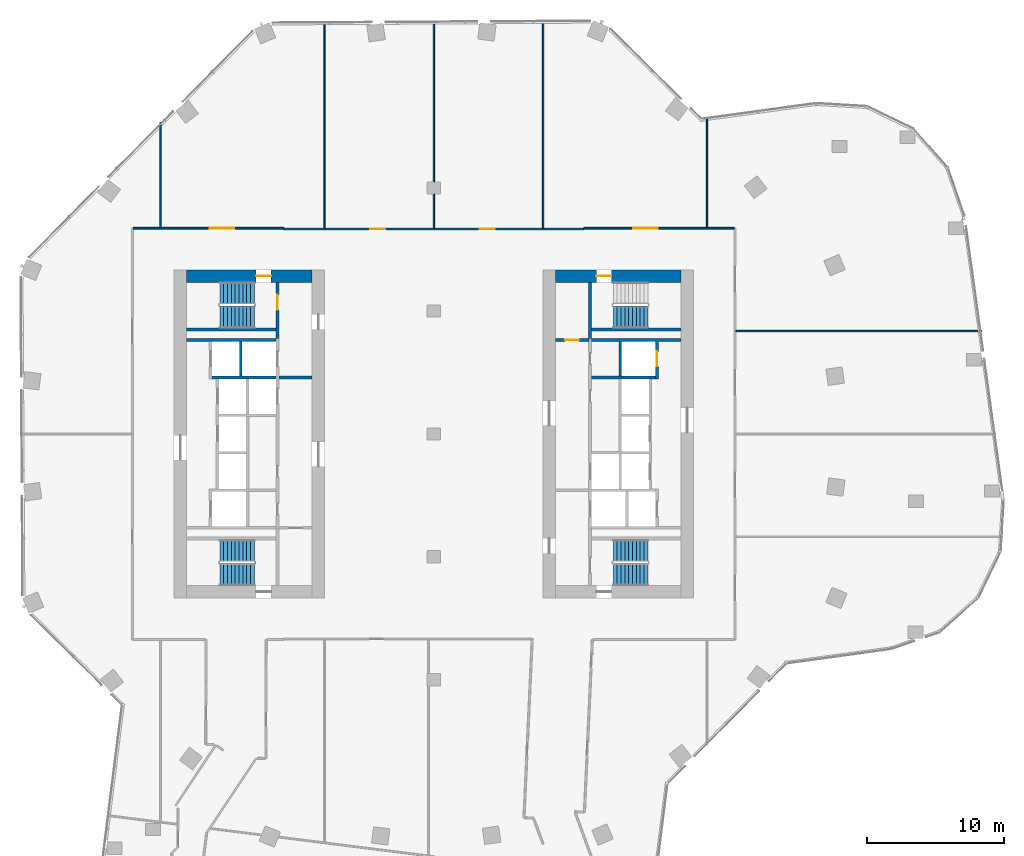
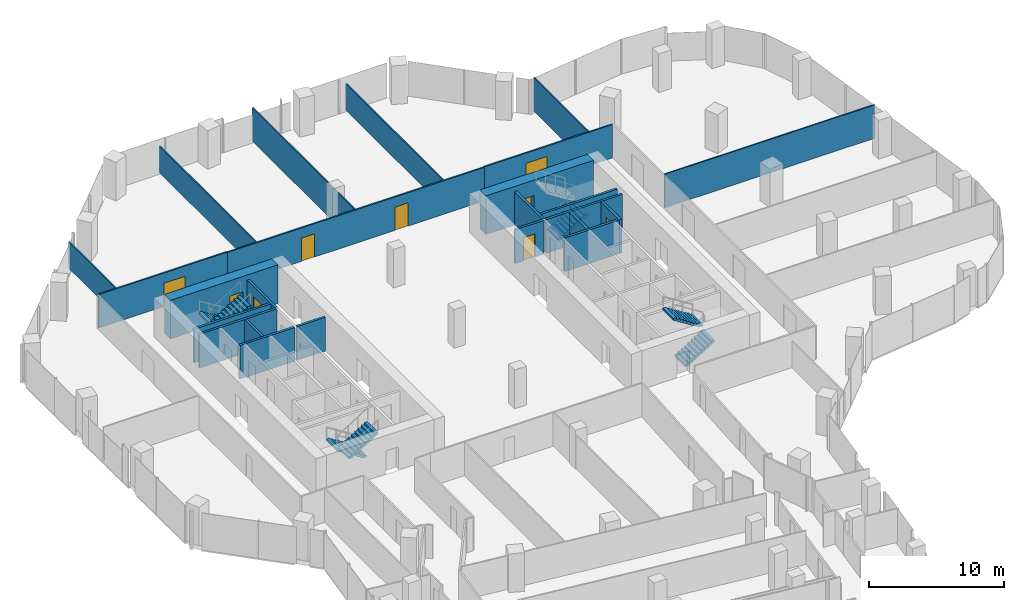
# One storey, part 22 of 27: 24 walls, 9 doors, 7 stair flights, 9 openings, 4 elements without a shape of their own.
"""IFC4 building model written with IfcOpenShell, lengths in metres."""

from ifc_helpers import new_model, si_unit, direction, frame, frame_2d, origin, place, context, subcontext, project, spatial, polyline, rectangle, outline, extrude, material, layer, layer_set, type_object, element, fill, aggregate, save


model = new_model("IFC4")

# Units and contexts
model_context = context("Model", 3, precision=1e-05, world=origin(), true_north=direction((0.0, 1.0)))
body_context = subcontext(model_context, "Body", "Model", "MODEL_VIEW")
ifc_project = project(units=[si_unit("LENGTHUNIT", "METRE"), si_unit("AREAUNIT", "SQUARE_METRE"), si_unit("VOLUMEUNIT", "CUBIC_METRE"), si_unit("PLANEANGLEUNIT", "RADIAN"), si_unit("MASSUNIT", "GRAM", prefix="KILO")], contexts=[model_context])

# Site, building, storey
site_placement = place(None, origin())
site = spatial("IfcSite", under=ifc_project, at=site_placement, CompositionType="ELEMENT")
building_placement = place(site_placement, origin())
building = spatial("IfcBuilding", under=site, at=building_placement, Name="Orlundy Tower", CompositionType="ELEMENT")
storey_placement = place(building_placement, frame((0.0, 0.0, 202.60009765625)))
storey = spatial("IfcBuildingStorey", under=building, at=storey_placement, Name="L53", CompositionType="ELEMENT", Elevation=202.60009765625)

# Wall, opening, door
ifc_material_1 = material(Name="Concrete C70/85", Category="concrete")
ifc_layer_1 = layer(ifc_material_1, 0.89990234375)
ifc_layer_set_1 = layer_set([ifc_layer_1], Name="CORE WALL 900 C70/85")
wall_type_1 = type_object("IfcWallType", Name="CORE WALL 900 C70/85", PredefinedType="SHEAR", material=ifc_layer_set_1)
wall_1_placement = place(storey_placement, frame((-18.10009765625, 11.550048828125, 0.0), z_axis=(0.0, 0.0, 1.0), x_axis=(1.0, 0.0, 0.0)))
wall_1 = element("IfcWall", 1, at=wall_1_placement, inside=storey, type_object=wall_type_1, Name="Core wall W-N L53", PredefinedType="SHEAR", context=body_context, shape_type="SweptSolid", body=[
    extrude(rectangle(XDim=9.2001953125, YDim=0.89990234375, at=frame_2d((4.60009765625, 0.0))), origin(), (0.0, 0.0, 1.0), 3.5),
])
opening_1_placement = place(wall_1_placement, frame((5.10009765625, 0.0, 0.0)))
opening_1 = element("IfcOpeningElement", 2, at=opening_1_placement, cuts=wall_1, Name="Opening 40012", PredefinedType="OPENING", context=body_context, shape_type="SweptSolid", body=[
    extrude(rectangle(XDim=1.10009765625, YDim=2.10009765625, at=frame_2d((0.550048828125, 1.050048828125))), frame((0.0, 0.4599609375, 0.0), z_axis=(0.0, -1.0, 0.0), x_axis=(1.0, 0.0, 0.0)), (0.0, 0.0, 1.0), 0.919921875),
])
ifc_material_2 = material(Name="Steel door set", Category="steel")
door_type_1 = type_object("IfcDoorType", Name="Stair Door 1100x2100", OperationType="SINGLE_SWING_LEFT", PredefinedType="DOOR", material=ifc_material_2)
door_1_placement = place(opening_1_placement, origin())
door_1 = element("IfcDoor", 3, at=door_1_placement, inside=storey, type_object=door_type_1, Name="Stair door 40012", OperationType="SINGLE_SWING_RIGHT", OverallHeight=2.10009765625, OverallWidth=1.10009765625, PredefinedType="DOOR", context=body_context, shape_type="SweptSolid", body=[
    extrude(rectangle(XDim=1.10009765625, YDim=2.10009765625, at=frame_2d((0.550048828125, 1.050048828125))), frame((0.0, 0.02490234375, 0.0), z_axis=(0.0, -1.0, 0.0), x_axis=(1.0, 0.0, 0.0)), (0.0, 0.0, 1.0), 0.050048828125),
])
fill(opening_1, door_1)

wall_2_placement = place(storey_placement, frame((8.89990234375, 11.550048828125, 0.0), z_axis=(0.0, 0.0, 1.0), x_axis=(1.0, 0.0, 0.0)))
wall_2 = element("IfcWall", 4, at=wall_2_placement, inside=storey, type_object=wall_type_1, Name="Core wall E-N L53", PredefinedType="SHEAR", context=body_context, shape_type="SweptSolid", body=[
    extrude(rectangle(XDim=9.2001953125, YDim=0.89990234375, at=frame_2d((4.60009765625, 0.0))), origin(), (0.0, 0.0, 1.0), 3.5),
])
opening_2_placement = place(wall_2_placement, frame((3.0, 0.0, 0.0)))
opening_2 = element("IfcOpeningElement", 5, at=opening_2_placement, cuts=wall_2, Name="Opening 40062", PredefinedType="OPENING", context=body_context, shape_type="SweptSolid", body=[
    extrude(rectangle(XDim=1.10009765625, YDim=2.10009765625, at=frame_2d((0.550048828125, 1.050048828125))), frame((0.0, 0.4599609375, 0.0), z_axis=(0.0, -1.0, 0.0), x_axis=(1.0, 0.0, 0.0)), (0.0, 0.0, 1.0), 0.919921875),
])
door_2_placement = place(opening_2_placement, origin())
door_2 = element("IfcDoor", 6, at=door_2_placement, inside=storey, type_object=door_type_1, Name="Stair door 40062", OperationType="SINGLE_SWING_LEFT", OverallHeight=2.10009765625, OverallWidth=1.10009765625, PredefinedType="DOOR", context=body_context, shape_type="SweptSolid", body=[
    extrude(rectangle(XDim=1.10009765625, YDim=2.10009765625, at=frame_2d((0.550048828125, 1.050048828125))), frame((0.0, 0.02490234375, 0.0), z_axis=(0.0, -1.0, 0.0), x_axis=(1.0, 0.0, 0.0)), (0.0, 0.0, 1.0), 0.050048828125),
])
fill(opening_2, door_2)

# Walls
ifc_material_3 = material(Name="Gypsum board partition")
ifc_layer_2 = layer(ifc_material_3, 0.10009765625)
ifc_layer_set_2 = layer_set([ifc_layer_2], Name="Floor partition 100")
wall_type_2 = type_object("IfcWallType", Name="Floor partition 100", PredefinedType="PARTITIONING", material=ifc_layer_set_2)
wall_3_placement = place(storey_placement, frame((22.113037109375, 7.52392578125, 0.0), z_axis=(0.0, 0.0, 1.0), x_axis=(1.0, 0.0, 0.0)))
element("IfcWall", 7, at=wall_3_placement, inside=storey, type_object=wall_type_2, Name="wall-int-L53-037", PredefinedType="PARTITIONING", context=body_context, shape_type="SweptSolid", body=[
    extrude(rectangle(XDim=17.98486328125, YDim=0.10009765625, at=frame_2d((8.992431640625, 0.0))), origin(), (0.0, 0.0, 1.0), 3.02978515625),
])
wall_4_placement = place(storey_placement, frame((20.0, 15.114013671875, 0.0), z_axis=(0.0, 0.0, 1.0), x_axis=(0.0, 1.0, 0.0)))
element("IfcWall", 8, at=wall_4_placement, inside=storey, type_object=wall_type_2, Name="wall-int-L53-066", PredefinedType="PARTITIONING", context=body_context, shape_type="SweptSolid", body=[
    extrude(rectangle(XDim=8.077880859375, YDim=0.10009765625, at=frame_2d((4.0390625, 0.0))), origin(), (0.0, 0.0, 1.0), 3.02978515625),
])
wall_5_placement = place(storey_placement, frame((0.0, 15.06298828125, 0.0), z_axis=(0.0, 0.0, 1.0), x_axis=(0.0, 1.0, 0.0)))
element("IfcWall", 9, at=wall_5_placement, inside=storey, type_object=wall_type_2, Name="wall-int-L53-069", PredefinedType="PARTITIONING", context=body_context, shape_type="SweptSolid", body=[
    extrude(rectangle(XDim=15.18798828125, YDim=0.10009765625, at=frame_2d((7.593994140625, 0.0))), origin(), (0.0, 0.0, 1.0), 3.02978515625),
])
ifc_material_4 = material(Name="Gypsum board partition")
ifc_layer_3 = layer(ifc_material_4, 0.10009765625)
ifc_layer_set_3 = layer_set([ifc_layer_3], Name="Floor partition 100 B")
wall_type_3 = type_object("IfcWallType", Name="Floor partition 100 B", PredefinedType="PARTITIONING", material=ifc_layer_set_3)
wall_6_placement = place(storey_placement, frame((8.0, 15.06298828125, 0.0), z_axis=(0.0, 0.0, 1.0), x_axis=(0.0, 1.0, 0.0)))
element("IfcWall", 10, at=wall_6_placement, inside=storey, type_object=wall_type_3, Name="wall-int-L53-067", PredefinedType="PARTITIONING", context=body_context, shape_type="SweptSolid", body=[
    extrude(rectangle(XDim=15.234130859375, YDim=0.10009765625, at=frame_2d((7.6171875, 0.0))), origin(), (0.0, 0.0, 1.0), 2.39501953125),
])
wall_7_placement = place(storey_placement, frame((-8.0, 15.06298828125, 0.0), z_axis=(0.0, 0.0, 1.0), x_axis=(0.0, 1.0, 0.0)))
element("IfcWall", 11, at=wall_7_placement, inside=storey, type_object=wall_type_3, Name="wall-int-L53-072", PredefinedType="PARTITIONING", context=body_context, shape_type="SweptSolid", body=[
    extrude(rectangle(XDim=15.14111328125, YDim=0.10009765625, at=frame_2d((7.570556640625, 0.0))), origin(), (0.0, 0.0, 1.0), 2.39501953125),
])
wall_8_placement = place(storey_placement, frame((-20.0, 15.114013671875, 0.0), z_axis=(0.0, 0.0, 1.0), x_axis=(0.0, 1.0, 0.0)))
element("IfcWall", 12, at=wall_8_placement, inside=storey, type_object=wall_type_3, Name="wall-int-L53-076", PredefinedType="PARTITIONING", context=body_context, shape_type="SweptSolid", body=[
    extrude(rectangle(XDim=7.68310546875, YDim=0.10009765625, at=frame_2d((3.841552734375, 0.0))), origin(), (0.0, 0.0, 1.0), 2.39501953125),
])

# Wall, openings, doors
ifc_material_5 = material(Name="Gypsum board partition, double layer")
ifc_layer_4 = layer(ifc_material_5, 0.125)
ifc_layer_set_4 = layer_set([ifc_layer_4], Name="Floor partition 125")
wall_type_4 = type_object("IfcWallType", Name="Floor partition 125", PredefinedType="PARTITIONING", material=ifc_layer_set_4)
wall_9_placement = place(storey_placement, frame((-10.989990234375, 15.0009765625, 0.0), z_axis=(0.0, 0.0, 1.0), x_axis=(1.0, 0.0, 0.0)))
wall_9 = element("IfcWall", 13, at=wall_9_placement, inside=storey, type_object=wall_type_4, Name="wall-int-L53-038", PredefinedType="PARTITIONING", context=body_context, shape_type="SweptSolid", body=[
    extrude(rectangle(XDim=21.97998046875, YDim=0.125, at=frame_2d((10.989990234375, 0.0))), origin(), (0.0, 0.0, 1.0), 3.02978515625),
])
opening_3_placement = place(wall_9_placement, frame((14.340087890625, 0.0, 0.0)))
opening_3 = element("IfcOpeningElement", 14, at=opening_3_placement, cuts=wall_9, Name="Opening 40123", PredefinedType="OPENING", context=body_context, shape_type="SweptSolid", body=[
    extrude(rectangle(XDim=1.10009765625, YDim=2.10009765625, at=frame_2d((0.550048828125, 1.050048828125))), frame((0.0, 0.072509765625, 0.0), z_axis=(0.0, -1.0, 0.0), x_axis=(1.0, 0.0, 0.0)), (0.0, 0.0, 1.0), 0.14501953125),
])
opening_4_placement = place(wall_9_placement, frame((6.340087890625, 0.0, 0.0)))
opening_4 = element("IfcOpeningElement", 15, at=opening_4_placement, cuts=wall_9, Name="Opening 40124", PredefinedType="OPENING", context=body_context, shape_type="SweptSolid", body=[
    extrude(rectangle(XDim=1.10009765625, YDim=2.10009765625, at=frame_2d((0.550048828125, 1.050048828125))), frame((0.0, 0.072509765625, 0.0), z_axis=(0.0, -1.0, 0.0), x_axis=(1.0, 0.0, 0.0)), (0.0, 0.0, 1.0), 0.14501953125),
])
ifc_material_6 = material(Name="Timber door leaf", Category="wood")
door_type_2 = type_object("IfcDoorType", Name="Floor door xwide 1100 FD30S", OperationType="NOTDEFINED", PredefinedType="DOOR", material=ifc_material_6)
door_3_placement = place(opening_3_placement, origin())
door_3 = element("IfcDoor", 16, at=door_3_placement, inside=storey, type_object=door_type_2, Name="Door 40123", OperationType="SINGLE_SWING_RIGHT", OverallHeight=2.10009765625, OverallWidth=1.10009765625, PredefinedType="DOOR", context=body_context, shape_type="SweptSolid", body=[
    extrude(rectangle(XDim=1.10009765625, YDim=2.10009765625, at=frame_2d((0.550048828125, 1.050048828125))), frame((0.0, 0.02490234375, 0.0), z_axis=(0.0, -1.0, 0.0), x_axis=(1.0, 0.0, 0.0)), (0.0, 0.0, 1.0), 0.050048828125),
])
fill(opening_3, door_3)
door_4_placement = place(opening_4_placement, origin())
door_4 = element("IfcDoor", 17, at=door_4_placement, inside=storey, type_object=door_type_2, Name="Door 40124", OperationType="SINGLE_SWING_LEFT", OverallHeight=2.10009765625, OverallWidth=1.10009765625, PredefinedType="DOOR", context=body_context, shape_type="SweptSolid", body=[
    extrude(rectangle(XDim=1.10009765625, YDim=2.10009765625, at=frame_2d((0.550048828125, 1.050048828125))), frame((0.0, 0.02490234375, 0.0), z_axis=(0.0, -1.0, 0.0), x_axis=(1.0, 0.0, 0.0)), (0.0, 0.0, 1.0), 0.050048828125),
])
fill(opening_4, door_4)

# Wall, opening, door
wall_10_placement = place(storey_placement, frame((-21.988037109375, 15.051025390625, 0.0), z_axis=(0.0, 0.0, 1.0), x_axis=(1.0, 0.0, 0.0)))
wall_10 = element("IfcWall", 18, at=wall_10_placement, inside=storey, type_object=wall_type_4, Name="wall-int-L53-039", PredefinedType="PARTITIONING", context=body_context, shape_type="SweptSolid", body=[
    extrude(rectangle(XDim=10.9970703125, YDim=0.125, at=frame_2d((5.49853515625, 0.0))), origin(), (0.0, 0.0, 1.0), 3.02978515625),
])
opening_5_placement = place(wall_10_placement, frame((5.58740234375, 0.0, 0.0)))
opening_5 = element("IfcOpeningElement", 19, at=opening_5_placement, cuts=wall_10, Name="Opening 40125", PredefinedType="OPENING", context=body_context, shape_type="SweptSolid", body=[
    extrude(rectangle(XDim=1.800048828125, YDim=2.10009765625, at=frame_2d((0.89990234375, 1.050048828125))), frame((0.0, 0.072509765625, 0.0), z_axis=(0.0, -1.0, 0.0), x_axis=(1.0, 0.0, 0.0)), (0.0, 0.0, 1.0), 0.14501953125),
])
ifc_material_7 = material(Name="Timber door leaf", Category="wood")
door_type_3 = type_object("IfcDoorType", Name="Floor door double 1800 FD30S", OperationType="NOTDEFINED", PredefinedType="DOOR", material=ifc_material_7)
door_5_placement = place(opening_5_placement, origin())
door_5 = element("IfcDoor", 20, at=door_5_placement, inside=storey, type_object=door_type_3, Name="Door 40125", OperationType="DOUBLE_DOOR_SINGLE_SWING", OverallHeight=2.10009765625, OverallWidth=1.800048828125, PredefinedType="DOOR", context=body_context, shape_type="SweptSolid", body=[
    extrude(rectangle(XDim=1.800048828125, YDim=2.10009765625, at=frame_2d((0.89990234375, 1.050048828125))), frame((0.0, 0.02490234375, 0.0), z_axis=(0.0, -1.0, 0.0), x_axis=(1.0, 0.0, 0.0)), (0.0, 0.0, 1.0), 0.050048828125),
])
fill(opening_5, door_5)

wall_11_placement = place(storey_placement, frame((10.990966796875, 15.051025390625, 0.0), z_axis=(0.0, 0.0, 1.0), x_axis=(1.0, 0.0, 0.0)))
wall_11 = element("IfcWall", 21, at=wall_11_placement, inside=storey, type_object=wall_type_4, Name="wall-int-L53-040", PredefinedType="PARTITIONING", context=body_context, shape_type="SweptSolid", body=[
    extrude(rectangle(XDim=10.9970703125, YDim=0.125, at=frame_2d((5.49853515625, 0.0))), origin(), (0.0, 0.0, 1.0), 3.02978515625),
])
opening_6_placement = place(wall_11_placement, frame((3.60009765625, 0.0, 0.0)))
opening_6 = element("IfcOpeningElement", 22, at=opening_6_placement, cuts=wall_11, Name="Opening 40122", PredefinedType="OPENING", context=body_context, shape_type="SweptSolid", body=[
    extrude(rectangle(XDim=1.800048828125, YDim=2.10009765625, at=frame_2d((0.89990234375, 1.050048828125))), frame((0.0, 0.072509765625, 0.0), z_axis=(0.0, -1.0, 0.0), x_axis=(1.0, 0.0, 0.0)), (0.0, 0.0, 1.0), 0.14501953125),
])
door_6_placement = place(opening_6_placement, origin())
door_6 = element("IfcDoor", 23, at=door_6_placement, inside=storey, type_object=door_type_3, Name="Door 40122", OperationType="DOUBLE_DOOR_SINGLE_SWING", OverallHeight=2.10009765625, OverallWidth=1.800048828125, PredefinedType="DOOR", context=body_context, shape_type="SweptSolid", body=[
    extrude(rectangle(XDim=1.800048828125, YDim=2.10009765625, at=frame_2d((0.89990234375, 1.050048828125))), frame((0.0, 0.02490234375, 0.0), z_axis=(0.0, -1.0, 0.0), x_axis=(1.0, 0.0, 0.0)), (0.0, 0.0, 1.0), 0.050048828125),
])
fill(opening_6, door_6)

ifc_material_8 = material(Name="Concrete C40/50", Category="concrete")
ifc_layer_5 = layer(ifc_material_8, 0.199951171875)
ifc_layer_set_5 = layer_set([ifc_layer_5], Name="Load-bearing Shaft Wall 200")
wall_type_5 = type_object("IfcWallType", Name="Load-bearing Shaft Wall 200", PredefinedType="SOLIDWALL", material=ifc_layer_set_5)
wall_12_placement = place(storey_placement, frame((-11.43994140625, 6.97509765625, 0.0), z_axis=(0.0, 0.0, 1.0), x_axis=(0.0, 1.0, 0.0)))
wall_12 = element("IfcWall", 24, at=wall_12_placement, inside=storey, type_object=wall_type_5, Name="Shaft wall W40-stair-end-n", PredefinedType="SOLIDWALL", context=body_context, shape_type="SweptSolid", body=[
    extrude(rectangle(XDim=4.125, YDim=0.199951171875, at=frame_2d((2.0625, 0.0))), origin(), (0.0, 0.0, 1.0), 3.0498046875),
])
opening_7_placement = place(wall_12_placement, frame((2.10009765625, 0.0, 0.0)))
opening_7 = element("IfcOpeningElement", 25, at=opening_7_placement, cuts=wall_12, Name="Opening 40014", PredefinedType="OPENING", context=body_context, shape_type="SweptSolid", body=[
    extrude(rectangle(XDim=1.10009765625, YDim=2.10009765625, at=frame_2d((0.550048828125, 1.050048828125))), frame((0.0, 0.110107421875, 0.0), z_axis=(0.0, -1.0, 0.0), x_axis=(1.0, 0.0, 0.0)), (0.0, 0.0, 1.0), 0.22021484375),
])
ifc_material_9 = material(Name="Steel door set", Category="steel")
door_type_4 = type_object("IfcDoorType", Name="Fire-fighting Lobby Door 1100x2100", OperationType="SINGLE_SWING_LEFT", PredefinedType="DOOR", material=ifc_material_9)
door_7_placement = place(opening_7_placement, origin())
door_7 = element("IfcDoor", 26, at=door_7_placement, inside=storey, type_object=door_type_4, Name="Fire-fighting lobby to stair door 40014", OperationType="SINGLE_SWING_RIGHT", OverallHeight=2.10009765625, OverallWidth=1.10009765625, PredefinedType="DOOR", context=body_context, shape_type="SweptSolid", body=[
    extrude(rectangle(XDim=1.10009765625, YDim=2.10009765625, at=frame_2d((0.550048828125, 1.050048828125))), frame((0.0, 0.02490234375, 0.0), z_axis=(0.0, -1.0, 0.0), x_axis=(1.0, 0.0, 0.0)), (0.0, 0.0, 1.0), 0.050048828125),
])
fill(opening_7, door_7)

# Walls
for number, where, z_axis, x_axis, name in (
    (27, (-11.5400390625, 7.64990234375, 0.0), (0.0, 0.0, 1.0), (-1.0, 0.0, 0.0), "Shaft wall W40-stair-side-n"),
    (28, (11.5400390625, 6.875, 0.0), (0.0, 0.0, 1.0), (1.0, 0.0, 0.0), "Shaft wall E40-zone-s"),
):
    element("IfcWall", number, at=place(storey_placement, frame(where, z_axis=z_axis, x_axis=x_axis)), inside=storey, type_object=wall_type_5, Name=name, PredefinedType="SOLIDWALL", context=body_context, shape_type="SweptSolid", body=[
        extrude(rectangle(XDim=6.56005859375, YDim=0.199951171875, at=frame_2d((3.280029296875, 0.0))), origin(), (0.0, 0.0, 1.0), 3.0498046875),
    ])
wall_13_placement = place(storey_placement, frame((11.5400390625, 4.125, 0.0), z_axis=(0.0, 0.0, 1.0), x_axis=(1.0, 0.0, 0.0)))
element("IfcWall", 29, at=wall_13_placement, inside=storey, type_object=wall_type_5, Name="Shaft wall E40-cross-4.125", PredefinedType="SOLIDWALL", context=body_context, shape_type="SweptSolid", body=[
    extrude(rectangle(XDim=4.699951171875, YDim=0.199951171875, at=frame_2d((2.35009765625, 0.0))), origin(), (0.0, 0.0, 1.0), 3.0498046875),
])
wall_14_placement = place(storey_placement, frame((13.639892578125, 6.77490234375, 0.0), z_axis=(0.0, 0.0, 1.0), x_axis=(0.0, -1.0, 0.0)))
element("IfcWall", 30, at=wall_14_placement, inside=storey, type_object=wall_type_5, Name="Shaft wall E40-mid-a", PredefinedType="SOLIDWALL", context=body_context, shape_type="SweptSolid", body=[
    extrude(rectangle(XDim=2.5498046875, YDim=0.199951171875, at=frame_2d((1.27490234375, 0.0))), origin(), (0.0, 0.0, 1.0), 3.0498046875),
])
wall_15_placement = place(storey_placement, frame((11.43994140625, 11.10009765625, 0.0), z_axis=(0.0, 0.0, 1.0), x_axis=(0.0, -1.0, 0.0)))
element("IfcWall", 31, at=wall_15_placement, inside=storey, type_object=wall_type_5, Name="Shaft wall E40-stair-end-s", PredefinedType="SOLIDWALL", context=body_context, shape_type="SweptSolid", body=[
    extrude(rectangle(XDim=4.125, YDim=0.199951171875, at=frame_2d((2.0625, 0.0))), origin(), (0.0, 0.0, 1.0), 3.0498046875),
])
wall_16_placement = place(storey_placement, frame((11.5400390625, 7.64990234375, 0.0), z_axis=(0.0, 0.0, 1.0), x_axis=(1.0, 0.0, 0.0)))
element("IfcWall", 32, at=wall_16_placement, inside=storey, type_object=wall_type_5, Name="Shaft wall E40-stair-side-s", PredefinedType="SOLIDWALL", context=body_context, shape_type="SweptSolid", body=[
    extrude(rectangle(XDim=6.56005859375, YDim=0.199951171875, at=frame_2d((3.280029296875, 0.0))), origin(), (0.0, 0.0, 1.0), 3.0498046875),
])
ifc_material_10 = material(Name="Gypsum board partition on steel studs", Category="steel")
ifc_layer_6 = layer(ifc_material_10, 0.199951171875)
ifc_layer_set_6 = layer_set([ifc_layer_6], Name="Partition 200")
wall_type_6 = type_object("IfcWallType", Name="Partition 200", PredefinedType="PARTITIONING", material=ifc_layer_set_6)
wall_17_placement = place(storey_placement, frame((-8.89990234375, 4.125, 0.0), z_axis=(0.0, 0.0, 1.0), x_axis=(-1.0, 0.0, 0.0)))
element("IfcWall", 33, at=wall_17_placement, inside=storey, type_object=wall_type_6, Name="Partition wall W40-lobby-n", PredefinedType="PARTITIONING", context=body_context, shape_type="SweptSolid", body=[
    extrude(rectangle(XDim=2.440185546875, YDim=0.199951171875, at=frame_2d((1.22021484375, 0.0))), origin(), (0.0, 0.0, 1.0), 3.0498046875),
])

# Wall, opening, door
wall_18_placement = place(storey_placement, frame((8.89990234375, 6.875, 0.0), z_axis=(0.0, 0.0, 1.0), x_axis=(1.0, 0.0, 0.0)))
wall_18 = element("IfcWall", 34, at=wall_18_placement, inside=storey, type_object=wall_type_6, Name="Partition wall E40-end-s", PredefinedType="PARTITIONING", context=body_context, shape_type="SweptSolid", body=[
    extrude(rectangle(XDim=2.440185546875, YDim=0.199951171875, at=frame_2d((1.22021484375, 0.0))), origin(), (0.0, 0.0, 1.0), 3.0498046875),
])
opening_8_placement = place(wall_18_placement, frame((0.719970703125, 0.0, 0.0)))
opening_8 = element("IfcOpeningElement", 35, at=opening_8_placement, cuts=wall_18, Name="Opening 40064", PredefinedType="OPENING", context=body_context, shape_type="SweptSolid", body=[
    extrude(rectangle(XDim=1.0, YDim=2.10009765625, at=frame_2d((0.5, 1.050048828125))), frame((0.0, 0.110107421875, 0.0), z_axis=(0.0, -1.0, 0.0), x_axis=(1.0, 0.0, 0.0)), (0.0, 0.0, 1.0), 0.22021484375),
])
ifc_material_11 = material(Name="Timber door set", Category="wood")
door_type_5 = type_object("IfcDoorType", Name="Accessible Door 1000x2100", OperationType="SINGLE_SWING_LEFT", PredefinedType="DOOR", material=ifc_material_11)
door_8_placement = place(opening_8_placement, origin())
door_8 = element("IfcDoor", 36, at=door_8_placement, inside=storey, type_object=door_type_5, Name="Accessible WC door 40064", OperationType="SINGLE_SWING_RIGHT", OverallHeight=2.10009765625, OverallWidth=1.0, PredefinedType="DOOR", context=body_context, shape_type="SweptSolid", body=[
    extrude(rectangle(XDim=1.0, YDim=2.10009765625, at=frame_2d((0.5, 1.050048828125))), frame((0.0, 0.02490234375, 0.0), z_axis=(0.0, -1.0, 0.0), x_axis=(1.0, 0.0, 0.0)), (0.0, 0.0, 1.0), 0.050048828125),
])
fill(opening_8, door_8)

# Walls
ifc_material_12 = material(Name="Fire-rated blockwork shaft wall", Category="masonry")
ifc_layer_7 = layer(ifc_material_12, 0.199951171875)
ifc_layer_set_7 = layer_set([ifc_layer_7], Name="Shaft Wall 200")
wall_type_7 = type_object("IfcWallType", Name="Shaft Wall 200", PredefinedType="SOLIDWALL", material=ifc_layer_set_7)
wall_19_placement = place(storey_placement, frame((-11.5400390625, 6.875, 0.0), z_axis=(0.0, 0.0, 1.0), x_axis=(-1.0, 0.0, 0.0)))
element("IfcWall", 37, at=wall_19_placement, inside=storey, type_object=wall_type_7, Name="Shaft wall W40-zone-n", PredefinedType="SOLIDWALL", context=body_context, shape_type="SweptSolid", body=[
    extrude(rectangle(XDim=6.56005859375, YDim=0.199951171875, at=frame_2d((3.280029296875, 0.0))), origin(), (0.0, 0.0, 1.0), 3.0498046875),
])
wall_20_placement = place(storey_placement, frame((-11.5400390625, 4.125, 0.0), z_axis=(0.0, 0.0, 1.0), x_axis=(-1.0, 0.0, 0.0)))
element("IfcWall", 38, at=wall_20_placement, inside=storey, type_object=wall_type_7, Name="Shaft wall W40-cross+4.125", PredefinedType="SOLIDWALL", context=body_context, shape_type="SweptSolid", body=[
    extrude(rectangle(XDim=4.699951171875, YDim=0.199951171875, at=frame_2d((2.35009765625, 0.0))), origin(), (0.0, 0.0, 1.0), 3.0498046875),
])
wall_21_placement = place(storey_placement, frame((-14.139892578125, 4.22509765625, 0.0), z_axis=(0.0, 0.0, 1.0), x_axis=(0.0, 1.0, 0.0)))
element("IfcWall", 39, at=wall_21_placement, inside=storey, type_object=wall_type_7, Name="Shaft wall W40-mid-b", PredefinedType="SOLIDWALL", context=body_context, shape_type="SweptSolid", body=[
    extrude(rectangle(XDim=2.5498046875, YDim=0.199951171875, at=frame_2d((1.27490234375, 0.0))), origin(), (0.0, 0.0, 1.0), 3.0498046875),
])

# Wall, opening, door
wall_22_placement = place(storey_placement, frame((16.340087890625, 6.77490234375, 0.0), z_axis=(0.0, 0.0, 1.0), x_axis=(0.0, -1.0, 0.0)))
wall_22 = element("IfcWall", 40, at=wall_22_placement, inside=storey, type_object=wall_type_7, Name="Shaft wall E40-front-o-a", PredefinedType="SOLIDWALL", context=body_context, shape_type="SweptSolid", body=[
    extrude(rectangle(XDim=2.75, YDim=0.199951171875, at=frame_2d((1.375, 0.0))), origin(), (0.0, 0.0, 1.0), 3.0498046875),
])
opening_9_placement = place(wall_22_placement, frame((0.72509765625, 0.0, 0.0)))
opening_9 = element("IfcOpeningElement", 41, at=opening_9_placement, cuts=wall_22, Name="Opening 40050", PredefinedType="OPENING", context=body_context, shape_type="SweptSolid", body=[
    extrude(rectangle(XDim=1.10009765625, YDim=2.10009765625, at=frame_2d((0.550048828125, 1.050048828125))), frame((0.0, 0.110107421875, 0.0), z_axis=(0.0, -1.0, 0.0), x_axis=(1.0, 0.0, 0.0)), (0.0, 0.0, 1.0), 0.22021484375),
])
ifc_material_13 = material(Name="Steel door set", Category="steel")
door_type_6 = type_object("IfcDoorType", Name="Landing Door 1100x2100", OperationType="DOUBLE_DOOR_SLIDING", PredefinedType="DOOR", material=ifc_material_13)
door_9_placement = place(opening_9_placement, origin())
door_9 = element("IfcDoor", 42, at=door_9_placement, inside=storey, type_object=door_type_6, Name="Lift landing door LV-02 40050", OperationType="DOUBLE_DOOR_SLIDING", OverallHeight=2.10009765625, OverallWidth=1.10009765625, PredefinedType="DOOR", context=body_context, shape_type="SweptSolid", body=[
    extrude(rectangle(XDim=1.10009765625, YDim=2.10009765625, at=frame_2d((0.550048828125, 1.050048828125))), frame((0.0, 0.02490234375, 0.0), z_axis=(0.0, -1.0, 0.0), x_axis=(1.0, 0.0, 0.0)), (0.0, 0.0, 1.0), 0.050048828125),
])
fill(opening_9, door_9)

# Stair, stair flights
ifc_material_14 = material(Name="Concrete C50/60", Category="concrete")
stair_type = type_object("IfcStairType", Name="Exit Stair 20 risers", PredefinedType="HALF_TURN_STAIR", material=ifc_material_14)
stair_1_placement = place(storey_placement, origin())
stair_1 = element("IfcStair", 43, at=stair_1_placement, inside=storey, type_object=stair_type, Name="L53 Exit Stair ST-W1", PredefinedType="HALF_TURN_STAIR")
ifc_material_15 = material(Name="Concrete C50/60", Category="concrete")
stair_flight_type = type_object("IfcStairFlightType", Name="Stair Flight 10 risers", PredefinedType="STRAIGHT", material=ifc_material_15)
stair_flight_1_placement = place(storey_placement, frame((-13.139892578125, 10.300048828125, 0.0), z_axis=(0.0, 0.0, 1.0), x_axis=(-1.0, 0.0, 0.0)))
stair_flight_1 = element("IfcStairFlight", 44, at=stair_flight_1_placement, type_object=stair_flight_type, Name="ST-W1 flight 1", NumberOfRisers=10, NumberOfTreads=9, PredefinedType="STRAIGHT", RiserHeight=0.175, TreadLength=0.28, context=body_context, shape_type="SweptSolid", body=[
    extrude(outline(polyline([(0.0, 0.0), (0.0, 0.175048828125), (0.280029296875, 0.175048828125), (0.280029296875, 0.35009765625), (0.56005859375, 0.35009765625), (0.56005859375, 0.52490234375), (0.840087890625, 0.52490234375), (0.840087890625, 0.699951171875), (1.1201171875, 0.699951171875), (1.1201171875, 0.875), (1.39990234375, 0.875), (1.39990234375, 1.050048828125), (1.679931640625, 1.050048828125), (1.679931640625, 1.22509765625), (1.9599609375, 1.22509765625), (1.9599609375, 1.39990234375), (2.239990234375, 1.39990234375), (2.239990234375, 1.574951171875), (2.52001953125, 1.574951171875), (2.52001953125, 1.75), (2.52001953125, 1.398193359375), (0.28271484375, 0.0), (0.0, 0.0)])), frame((0.0, 0.800048828125, 0.0), z_axis=(0.0, -1.0, 0.0), x_axis=(1.0, 0.0, 0.0)), (0.0, 0.0, 1.0), 1.60009765625),
])
stair_flight_2_placement = place(storey_placement, frame((-15.659912109375, 8.550048828125, 1.75), z_axis=(0.0, 0.0, 1.0), x_axis=(1.0, 0.0, 0.0)))
stair_flight_2 = element("IfcStairFlight", 45, at=stair_flight_2_placement, type_object=stair_flight_type, Name="ST-W1 flight 2", NumberOfRisers=10, NumberOfTreads=9, PredefinedType="STRAIGHT", RiserHeight=0.175, TreadLength=0.28, context=body_context, shape_type="SweptSolid", body=[
    extrude(outline(polyline([(0.0, 0.0), (0.0, 0.175048828125), (0.280029296875, 0.175048828125), (0.280029296875, 0.35009765625), (0.56005859375, 0.35009765625), (0.56005859375, 0.52490234375), (0.840087890625, 0.52490234375), (0.840087890625, 0.699951171875), (1.1201171875, 0.699951171875), (1.1201171875, 0.875), (1.39990234375, 0.875), (1.39990234375, 1.050048828125), (1.679931640625, 1.050048828125), (1.679931640625, 1.22509765625), (1.9599609375, 1.22509765625), (1.9599609375, 1.39990234375), (2.239990234375, 1.39990234375), (2.239990234375, 1.574951171875), (2.52001953125, 1.574951171875), (2.52001953125, 1.75), (2.52001953125, 1.398193359375), (0.28271484375, 0.0), (0.0, 0.0)])), frame((0.0, 0.800048828125, 0.0), z_axis=(0.0, -1.0, 0.0), x_axis=(1.0, 0.0, 0.0)), (0.0, 0.0, 1.0), 1.60009765625),
])
aggregate(stair_1, [stair_flight_1, stair_flight_2])

stair_2_placement = place(storey_placement, origin())
stair_2 = element("IfcStair", 46, at=stair_2_placement, inside=storey, type_object=stair_type, Name="L53 Exit Stair ST-W2", PredefinedType="HALF_TURN_STAIR")
stair_flight_3_placement = place(storey_placement, frame((-13.139892578125, -8.550048828125, 0.0), z_axis=(0.0, 0.0, 1.0), x_axis=(-1.0, 0.0, 0.0)))
stair_flight_3 = element("IfcStairFlight", 47, at=stair_flight_3_placement, type_object=stair_flight_type, Name="ST-W2 flight 1", NumberOfRisers=10, NumberOfTreads=9, PredefinedType="STRAIGHT", RiserHeight=0.175, TreadLength=0.28, context=body_context, shape_type="SweptSolid", body=[
    extrude(outline(polyline([(0.0, 0.0), (0.0, 0.175048828125), (0.280029296875, 0.175048828125), (0.280029296875, 0.35009765625), (0.56005859375, 0.35009765625), (0.56005859375, 0.52490234375), (0.840087890625, 0.52490234375), (0.840087890625, 0.699951171875), (1.1201171875, 0.699951171875), (1.1201171875, 0.875), (1.39990234375, 0.875), (1.39990234375, 1.050048828125), (1.679931640625, 1.050048828125), (1.679931640625, 1.22509765625), (1.9599609375, 1.22509765625), (1.9599609375, 1.39990234375), (2.239990234375, 1.39990234375), (2.239990234375, 1.574951171875), (2.52001953125, 1.574951171875), (2.52001953125, 1.75), (2.52001953125, 1.398193359375), (0.28271484375, 0.0), (0.0, 0.0)])), frame((0.0, 0.800048828125, 0.0), z_axis=(0.0, -1.0, 0.0), x_axis=(1.0, 0.0, 0.0)), (0.0, 0.0, 1.0), 1.60009765625),
])
stair_flight_4_placement = place(storey_placement, frame((-15.659912109375, -10.300048828125, 1.75), z_axis=(0.0, 0.0, 1.0), x_axis=(1.0, 0.0, 0.0)))
stair_flight_4 = element("IfcStairFlight", 48, at=stair_flight_4_placement, type_object=stair_flight_type, Name="ST-W2 flight 2", NumberOfRisers=10, NumberOfTreads=9, PredefinedType="STRAIGHT", RiserHeight=0.175, TreadLength=0.28, context=body_context, shape_type="SweptSolid", body=[
    extrude(outline(polyline([(0.0, 0.0), (0.0, 0.175048828125), (0.280029296875, 0.175048828125), (0.280029296875, 0.35009765625), (0.56005859375, 0.35009765625), (0.56005859375, 0.52490234375), (0.840087890625, 0.52490234375), (0.840087890625, 0.699951171875), (1.1201171875, 0.699951171875), (1.1201171875, 0.875), (1.39990234375, 0.875), (1.39990234375, 1.050048828125), (1.679931640625, 1.050048828125), (1.679931640625, 1.22509765625), (1.9599609375, 1.22509765625), (1.9599609375, 1.39990234375), (2.239990234375, 1.39990234375), (2.239990234375, 1.574951171875), (2.52001953125, 1.574951171875), (2.52001953125, 1.75), (2.52001953125, 1.398193359375), (0.28271484375, 0.0), (0.0, 0.0)])), frame((0.0, 0.800048828125, 0.0), z_axis=(0.0, -1.0, 0.0), x_axis=(1.0, 0.0, 0.0)), (0.0, 0.0, 1.0), 1.60009765625),
])
aggregate(stair_2, [stair_flight_3, stair_flight_4])

stair_3_placement = place(storey_placement, origin())
stair_3 = element("IfcStair", 49, at=stair_3_placement, inside=storey, type_object=stair_type, Name="L53 Exit Stair ST-E1", PredefinedType="HALF_TURN_STAIR")
stair_flight_5_placement = place(storey_placement, frame((13.139892578125, -10.300048828125, 0.0), z_axis=(0.0, 0.0, 1.0), x_axis=(1.0, 0.0, 0.0)))
stair_flight_5 = element("IfcStairFlight", 50, at=stair_flight_5_placement, type_object=stair_flight_type, Name="ST-E1 flight 1", NumberOfRisers=10, NumberOfTreads=9, PredefinedType="STRAIGHT", RiserHeight=0.175, TreadLength=0.28, context=body_context, shape_type="SweptSolid", body=[
    extrude(outline(polyline([(0.0, 0.0), (0.0, 0.175048828125), (0.280029296875, 0.175048828125), (0.280029296875, 0.35009765625), (0.56005859375, 0.35009765625), (0.56005859375, 0.52490234375), (0.840087890625, 0.52490234375), (0.840087890625, 0.699951171875), (1.1201171875, 0.699951171875), (1.1201171875, 0.875), (1.39990234375, 0.875), (1.39990234375, 1.050048828125), (1.679931640625, 1.050048828125), (1.679931640625, 1.22509765625), (1.9599609375, 1.22509765625), (1.9599609375, 1.39990234375), (2.239990234375, 1.39990234375), (2.239990234375, 1.574951171875), (2.52001953125, 1.574951171875), (2.52001953125, 1.75), (2.52001953125, 1.398193359375), (0.28271484375, 0.0), (0.0, 0.0)])), frame((0.0, 0.800048828125, 0.0), z_axis=(0.0, -1.0, 0.0), x_axis=(1.0, 0.0, 0.0)), (0.0, 0.0, 1.0), 1.60009765625),
])
stair_flight_6_placement = place(storey_placement, frame((15.659912109375, -8.550048828125, 1.75), z_axis=(0.0, 0.0, 1.0), x_axis=(-1.0, 0.0, 0.0)))
stair_flight_6 = element("IfcStairFlight", 51, at=stair_flight_6_placement, type_object=stair_flight_type, Name="ST-E1 flight 2", NumberOfRisers=10, NumberOfTreads=9, PredefinedType="STRAIGHT", RiserHeight=0.175, TreadLength=0.28, context=body_context, shape_type="SweptSolid", body=[
    extrude(outline(polyline([(0.0, 0.0), (0.0, 0.175048828125), (0.280029296875, 0.175048828125), (0.280029296875, 0.35009765625), (0.56005859375, 0.35009765625), (0.56005859375, 0.52490234375), (0.840087890625, 0.52490234375), (0.840087890625, 0.699951171875), (1.1201171875, 0.699951171875), (1.1201171875, 0.875), (1.39990234375, 0.875), (1.39990234375, 1.050048828125), (1.679931640625, 1.050048828125), (1.679931640625, 1.22509765625), (1.9599609375, 1.22509765625), (1.9599609375, 1.39990234375), (2.239990234375, 1.39990234375), (2.239990234375, 1.574951171875), (2.52001953125, 1.574951171875), (2.52001953125, 1.75), (2.52001953125, 1.398193359375), (0.28271484375, 0.0), (0.0, 0.0)])), frame((0.0, 0.800048828125, 0.0), z_axis=(0.0, -1.0, 0.0), x_axis=(1.0, 0.0, 0.0)), (0.0, 0.0, 1.0), 1.60009765625),
])
aggregate(stair_3, [stair_flight_5, stair_flight_6])

# Stair, stair flight
stair_4_placement = place(storey_placement, origin())
stair_4 = element("IfcStair", 52, at=stair_4_placement, inside=storey, type_object=stair_type, Name="L53 Exit Stair ST-E2", PredefinedType="HALF_TURN_STAIR")
stair_flight_7_placement = place(storey_placement, frame((13.139892578125, 8.550048828125, 0.0), z_axis=(0.0, 0.0, 1.0), x_axis=(1.0, 0.0, 0.0)))
stair_flight_7 = element("IfcStairFlight", 53, at=stair_flight_7_placement, type_object=stair_flight_type, Name="ST-E2 flight 1", NumberOfRisers=10, NumberOfTreads=9, PredefinedType="STRAIGHT", RiserHeight=0.175, TreadLength=0.28, context=body_context, shape_type="SweptSolid", body=[
    extrude(outline(polyline([(0.0, 0.0), (0.0, 0.175048828125), (0.280029296875, 0.175048828125), (0.280029296875, 0.35009765625), (0.56005859375, 0.35009765625), (0.56005859375, 0.52490234375), (0.840087890625, 0.52490234375), (0.840087890625, 0.699951171875), (1.1201171875, 0.699951171875), (1.1201171875, 0.875), (1.39990234375, 0.875), (1.39990234375, 1.050048828125), (1.679931640625, 1.050048828125), (1.679931640625, 1.22509765625), (1.9599609375, 1.22509765625), (1.9599609375, 1.39990234375), (2.239990234375, 1.39990234375), (2.239990234375, 1.574951171875), (2.52001953125, 1.574951171875), (2.52001953125, 1.75), (2.52001953125, 1.398193359375), (0.28271484375, 0.0), (0.0, 0.0)])), frame((0.0, 0.800048828125, 0.0), z_axis=(0.0, -1.0, 0.0), x_axis=(1.0, 0.0, 0.0)), (0.0, 0.0, 1.0), 1.60009765625),
])
aggregate(stair_4, [stair_flight_7])

save(model, "model.ifc")
